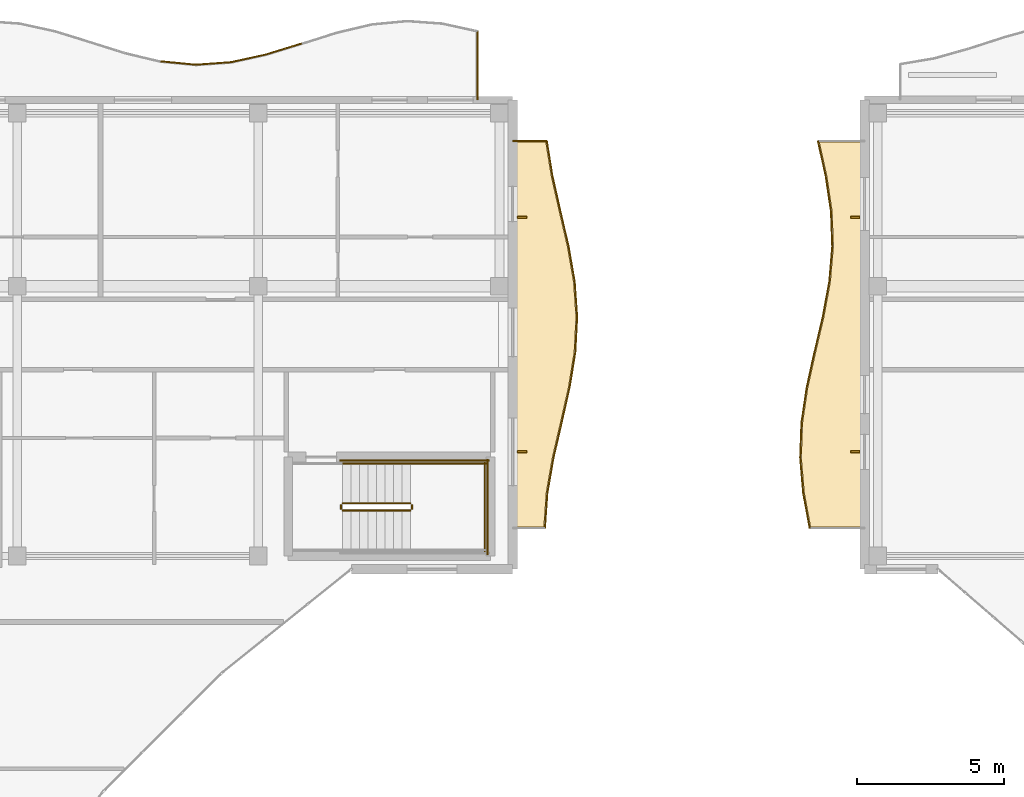
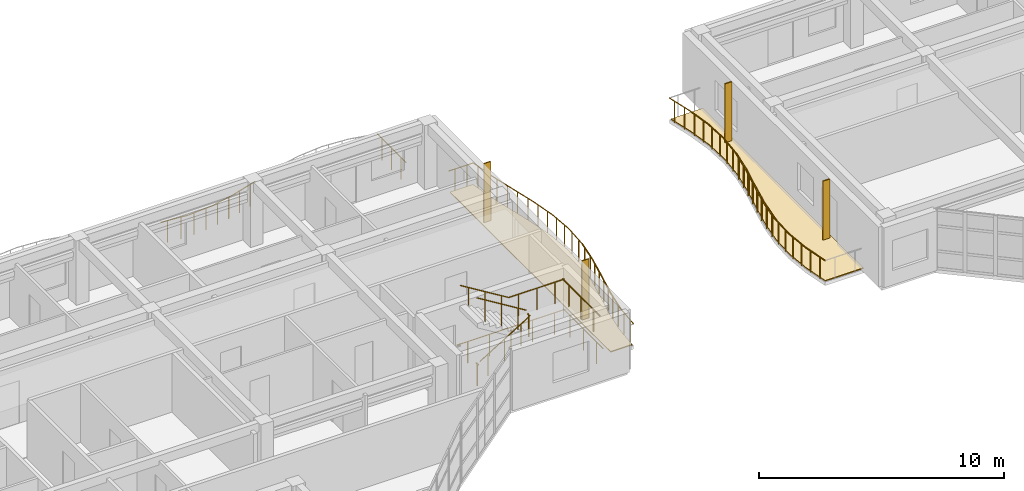
# One storey, part 61 of 71: 37 railings, 4 shading devices, 2 coverings.
"""IFC4 building model written with IfcOpenShell, lengths in metres."""

from ifc_helpers import new_model, si_unit, direction, frame, origin, origin_2d, place, context, subcontext, project, spatial, polyline, rectangle, circle, outline, extrude, material, layer, layer_set, type_object, element, save


model = new_model("IFC4")

# Units and contexts
model_context = context("Model", 3, precision=1e-05, world=origin(), true_north=direction((0.0, 1.0)))
body_context = subcontext(model_context, "Body", "Model", "MODEL_VIEW")
ifc_project = project(units=[si_unit("LENGTHUNIT", "METRE"), si_unit("AREAUNIT", "SQUARE_METRE"), si_unit("VOLUMEUNIT", "CUBIC_METRE"), si_unit("PLANEANGLEUNIT", "RADIAN"), si_unit("MASSUNIT", "GRAM", prefix="KILO")], contexts=[model_context])

# Site, building, storey
site_placement = place(None, origin())
site = spatial("IfcSite", under=ifc_project, at=site_placement, CompositionType="ELEMENT")
building_placement = place(site_placement, origin())
building = spatial("IfcBuilding", under=site, at=building_placement, Name="Keldmere Railside Commons", CompositionType="ELEMENT")
storey_placement = place(building_placement, frame((0.0, 0.0, 20.159912109375)))
storey = spatial("IfcBuildingStorey", under=building, at=storey_placement, Name="L06", CompositionType="ELEMENT", Elevation=20.159912109375)

# Railings
ifc_material_1 = material(Name="Steel F-24 (S235)", Category="steel")
railing_type_1 = type_object("IfcRailingType", Name="Balcony & Terrace Steel Balustrade 1100", PredefinedType="BALUSTRADE", material=ifc_material_1)
railing_1_placement = place(storey_placement, frame((69.5, 117.3154296875, 0.0)))
element("IfcRailing", 1, at=railing_1_placement, inside=storey, type_object=railing_type_1, Name="GR-1 GRD-L06-1460", PredefinedType="BALUSTRADE", context=body_context, shape_type="SweptSolid", body=[
    extrude(circle(Radius=0.02392578125, at=origin_2d()), frame((0.0, 0.0, 1.076171875), z_axis=(0.995458988415, -0.095191398689, 0.0), x_axis=(0.095191398689, 0.995458988415, 0.0)), (0.0, 0.0, 1.0), 1.205322265625),
    extrude(circle(Radius=0.02099609375, at=origin_2d()), frame((0.300048828125, -0.02880859375, 0.0)), (0.0, 0.0, 1.0), 1.048095703125),
    extrude(circle(Radius=0.02099609375, at=origin_2d()), frame((0.89990234375, -0.0859375, 0.0)), (0.0, 0.0, 1.0), 1.048095703125),
])
railing_2_placement = place(storey_placement, frame((70.699951171875, 117.20068359375, 0.0)))
element("IfcRailing", 2, at=railing_2_placement, inside=storey, type_object=railing_type_1, Name="GR-1 GRD-L06-1461", PredefinedType="BALUSTRADE", context=body_context, shape_type="SweptSolid", body=[
    extrude(circle(Radius=0.02392578125, at=origin_2d()), frame((0.0, 0.0, 1.076171875), z_axis=(0.997459729889, 0.071232627709, 0.0), x_axis=(-0.071232627709, 0.997459729889, 0.0)), (0.0, 0.0, 1.0), 1.203125),
    extrude(circle(Radius=0.02099609375, at=origin_2d()), frame((0.300048828125, 0.021484375, 0.0)), (0.0, 0.0, 1.0), 1.048095703125),
    extrude(circle(Radius=0.02099609375, at=origin_2d()), frame((0.89990234375, 0.064208984375, 0.0)), (0.0, 0.0, 1.0), 1.048095703125),
])
railing_3_placement = place(storey_placement, frame((71.89990234375, 117.286376953125, 0.0)))
element("IfcRailing", 3, at=railing_3_placement, inside=storey, type_object=railing_type_1, Name="GR-1 GRD-L06-1462", PredefinedType="BALUSTRADE", context=body_context, shape_type="SweptSolid", body=[
    extrude(circle(Radius=0.02392578125, at=origin_2d()), frame((0.0, 0.0, 1.076171875), z_axis=(0.976707795442, 0.214573722351, 0.0), x_axis=(-0.214573722351, 0.976707795442, 0.0)), (0.0, 0.0, 1.0), 1.228759765625),
    extrude(circle(Radius=0.02099609375, at=origin_2d()), frame((0.300048828125, 0.06591796875, 0.0)), (0.0, 0.0, 1.0), 1.048095703125),
    extrude(circle(Radius=0.02099609375, at=origin_2d()), frame((0.900146484375, 0.19775390625, 0.0)), (0.0, 0.0, 1.0), 1.048095703125),
])
railing_4_placement = place(storey_placement, frame((73.10009765625, 117.550048828125, 0.0)))
element("IfcRailing", 4, at=railing_4_placement, inside=storey, type_object=railing_type_1, Name="GR-1 GRD-L06-1463", PredefinedType="BALUSTRADE", context=body_context, shape_type="SweptSolid", body=[
    extrude(circle(Radius=0.02392578125, at=origin_2d()), frame((0.0, 0.0, 1.076171875), z_axis=(0.955412612016, 0.295274009695, 0.0), x_axis=(-0.295274009695, 0.955412612016, 0.0)), (0.0, 0.0, 1.0), 1.255859375),
    extrude(circle(Radius=0.02099609375, at=origin_2d()), frame((0.300048828125, 0.0927734375, 0.0)), (0.0, 0.0, 1.0), 1.048095703125),
    extrude(circle(Radius=0.02099609375, at=origin_2d()), frame((0.89990234375, 0.278076171875, 0.0)), (0.0, 0.0, 1.0), 1.048095703125),
])
railing_5_placement = place(storey_placement, frame((80.300048828125, 118.349853515625, 0.0)))
element("IfcRailing", 5, at=railing_5_placement, inside=storey, type_object=railing_type_1, Name="GR-1 GRD-L06-1469", PredefinedType="BALUSTRADE", context=body_context, shape_type="SweptSolid", body=[
    extrude(circle(Radius=0.02392578125, at=origin_2d()), frame((0.0, 0.0, 1.076171875), z_axis=(0.0, -1.0, 0.0), x_axis=(1.0, 0.0, 0.0)), (0.0, 0.0, 1.0), 2.349853515625),
    extrude(circle(Radius=0.02099609375, at=origin_2d()), frame((0.0, -0.3916015625, 0.0)), (0.0, 0.0, 1.0), 1.048095703125),
    extrude(circle(Radius=0.02099609375, at=origin_2d()), frame((0.0, -1.1748046875, 0.0)), (0.0, 0.0, 1.0), 1.048095703125),
    extrude(circle(Radius=0.02099609375, at=origin_2d()), frame((0.0, -1.958251953125, 0.0)), (0.0, 0.0, 1.0), 1.048095703125),
])
railing_6_placement = place(storey_placement, frame((82.600341796875, 101.39990234375, 0.0)))
element("IfcRailing", 6, at=railing_6_placement, inside=storey, type_object=railing_type_1, Name="GR-1 GRD-L06-1521", PredefinedType="BALUSTRADE", context=body_context, shape_type="SweptSolid", body=[
    extrude(circle(Radius=0.02392578125, at=origin_2d()), frame((0.0, 0.0, 1.076171875), z_axis=(0.06980489587, 0.997560663074, 0.0), x_axis=(-0.997560663074, 0.06980489587, 0.0)), (0.0, 0.0, 1.0), 1.203125),
    extrude(circle(Radius=0.02099609375, at=origin_2d()), frame((0.02099609375, 0.300048828125, 0.0)), (0.0, 0.0, 1.0), 1.048095703125),
    extrude(circle(Radius=0.02099609375, at=origin_2d()), frame((0.06298828125, 0.900146484375, 0.0)), (0.0, 0.0, 1.0), 1.048095703125),
])
railing_7_placement = place(storey_placement, frame((82.684326171875, 102.60009765625, 0.0)))
element("IfcRailing", 7, at=railing_7_placement, inside=storey, type_object=railing_type_1, Name="GR-1 GRD-L06-1522", PredefinedType="BALUSTRADE", context=body_context, shape_type="SweptSolid", body=[
    extrude(circle(Radius=0.02392578125, at=origin_2d()), frame((0.0, 0.0, 1.076171875), z_axis=(0.171383471067, 0.985204398003, 0.0), x_axis=(-0.985204398003, 0.171383471067, 0.0)), (0.0, 0.0, 1.0), 1.218017578125),
    extrude(circle(Radius=0.02099609375, at=origin_2d()), frame((0.05224609375, 0.300048828125, 0.0)), (0.0, 0.0, 1.0), 1.048095703125),
    extrude(circle(Radius=0.02099609375, at=origin_2d()), frame((0.156494140625, 0.89990234375, 0.0)), (0.0, 0.0, 1.0), 1.048095703125),
])
railing_8_placement = place(storey_placement, frame((82.89306640625, 103.800048828125, 0.0)))
element("IfcRailing", 8, at=railing_8_placement, inside=storey, type_object=railing_type_1, Name="GR-1 GRD-L06-1523", PredefinedType="BALUSTRADE", context=body_context, shape_type="SweptSolid", body=[
    extrude(circle(Radius=0.02392578125, at=origin_2d()), frame((0.0, 0.0, 1.076171875), z_axis=(0.225380647654, 0.974270785594, 0.0), x_axis=(-0.974270785594, 0.225380647654, 0.0)), (0.0, 0.0, 1.0), 1.231689453125),
    extrude(circle(Radius=0.02099609375, at=origin_2d()), frame((0.0693359375, 0.300048828125, 0.0)), (0.0, 0.0, 1.0), 1.048095703125),
    extrude(circle(Radius=0.02099609375, at=origin_2d()), frame((0.208251953125, 0.89990234375, 0.0)), (0.0, 0.0, 1.0), 1.048095703125),
])
railing_9_placement = place(storey_placement, frame((83.170654296875, 105.0, 0.0)))
element("IfcRailing", 9, at=railing_9_placement, inside=storey, type_object=railing_type_1, Name="GR-1 GRD-L06-1524", PredefinedType="BALUSTRADE", context=body_context, shape_type="SweptSolid", body=[
    extrude(circle(Radius=0.02392578125, at=origin_2d()), frame((0.0, 0.0, 1.076171875), z_axis=(0.221046448664, 0.975263281136, 0.0), x_axis=(-0.975263281136, 0.221046448664, 0.0)), (0.0, 0.0, 1.0), 1.23046875),
    extrude(circle(Radius=0.02099609375, at=origin_2d()), frame((0.06787109375, 0.300048828125, 0.0)), (0.0, 0.0, 1.0), 1.048095703125),
    extrude(circle(Radius=0.02099609375, at=origin_2d()), frame((0.2041015625, 0.89990234375, 0.0)), (0.0, 0.0, 1.0), 1.048095703125),
])
railing_10_placement = place(storey_placement, frame((83.442626953125, 106.199951171875, 0.0)))
element("IfcRailing", 10, at=railing_10_placement, inside=storey, type_object=railing_type_1, Name="GR-1 GRD-L06-1525", PredefinedType="BALUSTRADE", context=body_context, shape_type="SweptSolid", body=[
    extrude(circle(Radius=0.02392578125, at=origin_2d()), frame((0.0, 0.0, 1.076171875), z_axis=(0.159282959495, 0.987232970891, 0.0), x_axis=(-0.987232970891, 0.159282959495, 0.0)), (0.0, 0.0, 1.0), 1.215576171875),
    extrude(circle(Radius=0.02099609375, at=origin_2d()), frame((0.04833984375, 0.300048828125, 0.0)), (0.0, 0.0, 1.0), 1.048095703125),
    extrude(circle(Radius=0.02099609375, at=origin_2d()), frame((0.145263671875, 0.89990234375, 0.0)), (0.0, 0.0, 1.0), 1.048095703125),
])
railing_11_placement = place(storey_placement, frame((83.63623046875, 107.39990234375, 0.0)))
element("IfcRailing", 11, at=railing_11_placement, inside=storey, type_object=railing_type_1, Name="GR-1 GRD-L06-1526", PredefinedType="BALUSTRADE", context=body_context, shape_type="SweptSolid", body=[
    extrude(circle(Radius=0.02392578125, at=origin_2d()), frame((0.0, 0.0, 1.076171875), z_axis=(0.052814712281, 0.998604329135, 0.0), x_axis=(-0.998604329135, 0.052814712281, 0.0)), (0.0, 0.0, 1.0), 1.201904296875),
    extrude(circle(Radius=0.02099609375, at=origin_2d()), frame((0.015869140625, 0.300048828125, 0.0)), (0.0, 0.0, 1.0), 1.048095703125),
    extrude(circle(Radius=0.02099609375, at=origin_2d()), frame((0.047607421875, 0.900146484375, 0.0)), (0.0, 0.0, 1.0), 1.048095703125),
])
railing_12_placement = place(storey_placement, frame((83.69970703125, 108.60009765625, 0.0)))
element("IfcRailing", 12, at=railing_12_placement, inside=storey, type_object=railing_type_1, Name="GR-1 GRD-L06-1527", PredefinedType="BALUSTRADE", context=body_context, shape_type="SweptSolid", body=[
    extrude(circle(Radius=0.02392578125, at=origin_2d()), frame((0.0, 0.0, 1.076171875), z_axis=(-0.070020997682, 0.9975455177, 0.0), x_axis=(-0.9975455177, -0.070020997682, 0.0)), (0.0, 0.0, 1.0), 1.202880859375),
    extrude(circle(Radius=0.02099609375, at=origin_2d()), frame((-0.02099609375, 0.300048828125, 0.0)), (0.0, 0.0, 1.0), 1.048095703125),
    extrude(circle(Radius=0.02099609375, at=origin_2d()), frame((-0.063232421875, 0.89990234375, 0.0)), (0.0, 0.0, 1.0), 1.048095703125),
])
railing_13_placement = place(storey_placement, frame((83.615478515625, 109.800048828125, 0.0)))
element("IfcRailing", 13, at=railing_13_placement, inside=storey, type_object=railing_type_1, Name="GR-1 GRD-L06-1528", PredefinedType="BALUSTRADE", context=body_context, shape_type="SweptSolid", body=[
    extrude(circle(Radius=0.02392578125, at=origin_2d()), frame((0.0, 0.0, 1.076171875), z_axis=(-0.171188900173, 0.985238225232, 0.0), x_axis=(-0.985238225232, -0.171188900173, 0.0)), (0.0, 0.0, 1.0), 1.218017578125),
    extrude(circle(Radius=0.02099609375, at=origin_2d()), frame((-0.05224609375, 0.300048828125, 0.0)), (0.0, 0.0, 1.0), 1.048095703125),
    extrude(circle(Radius=0.02099609375, at=origin_2d()), frame((-0.15625, 0.89990234375, 0.0)), (0.0, 0.0, 1.0), 1.048095703125),
])
railing_14_placement = place(storey_placement, frame((83.406982421875, 111.0, 0.0)))
element("IfcRailing", 14, at=railing_14_placement, inside=storey, type_object=railing_type_1, Name="GR-1 GRD-L06-1529", PredefinedType="BALUSTRADE", context=body_context, shape_type="SweptSolid", body=[
    extrude(circle(Radius=0.02392578125, at=origin_2d()), frame((0.0, 0.0, 1.076171875), z_axis=(-0.225380647654, 0.974270785594, 0.0), x_axis=(-0.974270785594, -0.225380647654, 0.0)), (0.0, 0.0, 1.0), 1.231689453125),
    extrude(circle(Radius=0.02099609375, at=origin_2d()), frame((-0.0693359375, 0.300048828125, 0.0)), (0.0, 0.0, 1.0), 1.048095703125),
    extrude(circle(Radius=0.02099609375, at=origin_2d()), frame((-0.208251953125, 0.89990234375, 0.0)), (0.0, 0.0, 1.0), 1.048095703125),
])
railing_15_placement = place(storey_placement, frame((83.12939453125, 112.199951171875, 0.0)))
element("IfcRailing", 15, at=railing_15_placement, inside=storey, type_object=railing_type_1, Name="GR-1 GRD-L06-1530", PredefinedType="BALUSTRADE", context=body_context, shape_type="SweptSolid", body=[
    extrude(circle(Radius=0.02392578125, at=origin_2d()), frame((0.0, 0.0, 1.076171875), z_axis=(-0.221046448664, 0.975263281136, 0.0), x_axis=(-0.975263281136, -0.221046448664, 0.0)), (0.0, 0.0, 1.0), 1.23046875),
    extrude(circle(Radius=0.02099609375, at=origin_2d()), frame((-0.06787109375, 0.300048828125, 0.0)), (0.0, 0.0, 1.0), 1.048095703125),
    extrude(circle(Radius=0.02099609375, at=origin_2d()), frame((-0.2041015625, 0.89990234375, 0.0)), (0.0, 0.0, 1.0), 1.048095703125),
])
railing_16_placement = place(storey_placement, frame((82.857421875, 113.39990234375, 0.0)))
element("IfcRailing", 16, at=railing_16_placement, inside=storey, type_object=railing_type_1, Name="GR-1 GRD-L06-1531", PredefinedType="BALUSTRADE", context=body_context, shape_type="SweptSolid", body=[
    extrude(circle(Radius=0.02392578125, at=origin_2d()), frame((0.0, 0.0, 1.076171875), z_axis=(-0.159251380369, 0.987238065438, 0.0), x_axis=(-0.987238065438, -0.159251380369, 0.0)), (0.0, 0.0, 1.0), 1.2158203125),
    extrude(circle(Radius=0.02099609375, at=origin_2d()), frame((-0.04833984375, 0.300048828125, 0.0)), (0.0, 0.0, 1.0), 1.048095703125),
    extrude(circle(Radius=0.02099609375, at=origin_2d()), frame((-0.145263671875, 0.900146484375, 0.0)), (0.0, 0.0, 1.0), 1.048095703125),
])
railing_17_placement = place(storey_placement, frame((82.663818359375, 114.60009765625, 0.0)))
element("IfcRailing", 17, at=railing_17_placement, inside=storey, type_object=railing_type_1, Name="GR-1 GRD-L06-1532", PredefinedType="BALUSTRADE", context=body_context, shape_type="SweptSolid", body=[
    extrude(circle(Radius=0.02392578125, at=origin_2d()), frame((0.0, 0.0, 1.076171875), z_axis=(-1.0, 0.0, 0.0), x_axis=(0.0, -1.0, 0.0)), (0.0, 0.0, 1.0), 1.163818359375),
    extrude(circle(Radius=0.02099609375, at=origin_2d()), frame((-0.291015625, 0.0, 0.0)), (0.0, 0.0, 1.0), 1.048095703125),
    extrude(circle(Radius=0.02099609375, at=origin_2d()), frame((-0.872802734375, 0.0, 0.0)), (0.0, 0.0, 1.0), 1.048095703125),
])
railing_18_placement = place(storey_placement, frame((91.627197265625, 101.39990234375, 0.0)))
element("IfcRailing", 18, at=railing_18_placement, inside=storey, type_object=railing_type_1, Name="GR-1 GRD-L06-2605", PredefinedType="BALUSTRADE", context=body_context, shape_type="SweptSolid", body=[
    extrude(circle(Radius=0.02392578125, at=origin_2d()), frame((0.0, 0.0, 1.076171875), z_axis=(-0.1814373618, 0.983402503425, 0.0), x_axis=(-0.983402503425, -0.1814373618, 0.0)), (0.0, 0.0, 1.0), 1.220458984375),
    extrude(circle(Radius=0.02099609375, at=origin_2d()), frame((-0.055419921875, 0.300048828125, 0.0)), (0.0, 0.0, 1.0), 1.048095703125),
    extrude(circle(Radius=0.02099609375, at=origin_2d()), frame((-0.166015625, 0.900146484375, 0.0)), (0.0, 0.0, 1.0), 1.048095703125),
])
railing_19_placement = place(storey_placement, frame((91.40576171875, 102.60009765625, 0.0)))
element("IfcRailing", 19, at=railing_19_placement, inside=storey, type_object=railing_type_1, Name="GR-1 GRD-L06-2606", PredefinedType="BALUSTRADE", context=body_context, shape_type="SweptSolid", body=[
    extrude(circle(Radius=0.02392578125, at=origin_2d()), frame((0.0, 0.0, 1.076171875), z_axis=(-0.085343644629, 0.996351575661, 0.0), x_axis=(-0.996351575661, -0.085343644629, 0.0)), (0.0, 0.0, 1.0), 1.204345703125),
    extrude(circle(Radius=0.02099609375, at=origin_2d()), frame((-0.025634765625, 0.300048828125, 0.0)), (0.0, 0.0, 1.0), 1.048095703125),
    extrude(circle(Radius=0.02099609375, at=origin_2d()), frame((-0.0771484375, 0.89990234375, 0.0)), (0.0, 0.0, 1.0), 1.048095703125),
])
railing_20_placement = place(storey_placement, frame((91.302978515625, 103.800048828125, 0.0)))
element("IfcRailing", 20, at=railing_20_placement, inside=storey, type_object=railing_type_1, Name="GR-1 GRD-L06-2607", PredefinedType="BALUSTRADE", context=body_context, shape_type="SweptSolid", body=[
    extrude(circle(Radius=0.02392578125, at=origin_2d()), frame((0.0, 0.0, 1.076171875), z_axis=(0.03680109714, 0.999322610196, 0.0), x_axis=(-0.999322610196, 0.03680109714, 0.0)), (0.0, 0.0, 1.0), 1.20068359375),
    extrude(circle(Radius=0.02099609375, at=origin_2d()), frame((0.010986328125, 0.300048828125, 0.0)), (0.0, 0.0, 1.0), 1.048095703125),
    extrude(circle(Radius=0.02099609375, at=origin_2d()), frame((0.033203125, 0.89990234375, 0.0)), (0.0, 0.0, 1.0), 1.048095703125),
])
railing_21_placement = place(storey_placement, frame((91.34716796875, 105.0, 0.0)))
element("IfcRailing", 21, at=railing_21_placement, inside=storey, type_object=railing_type_1, Name="GR-1 GRD-L06-2608", PredefinedType="BALUSTRADE", context=body_context, shape_type="SweptSolid", body=[
    extrude(circle(Radius=0.02392578125, at=origin_2d()), frame((0.0, 0.0, 1.076171875), z_axis=(0.147307114317, 0.989090801732, 0.0), x_axis=(-0.989090801732, 0.147307114317, 0.0)), (0.0, 0.0, 1.0), 1.213134765625),
    extrude(circle(Radius=0.02099609375, at=origin_2d()), frame((0.044677734375, 0.300048828125, 0.0)), (0.0, 0.0, 1.0), 1.048095703125),
    extrude(circle(Radius=0.02099609375, at=origin_2d()), frame((0.134033203125, 0.89990234375, 0.0)), (0.0, 0.0, 1.0), 1.048095703125),
])
railing_22_placement = place(storey_placement, frame((91.52587890625, 106.199951171875, 0.0)))
element("IfcRailing", 22, at=railing_22_placement, inside=storey, type_object=railing_type_1, Name="GR-1 GRD-L06-2609", PredefinedType="BALUSTRADE", context=body_context, shape_type="SweptSolid", body=[
    extrude(circle(Radius=0.02392578125, at=origin_2d()), frame((0.0, 0.0, 1.076171875), z_axis=(0.216131111315, 0.97636434937, 0.0), x_axis=(-0.97636434937, 0.216131111315, 0.0)), (0.0, 0.0, 1.0), 1.22900390625),
    extrude(circle(Radius=0.02099609375, at=origin_2d()), frame((0.06640625, 0.300048828125, 0.0)), (0.0, 0.0, 1.0), 1.048095703125),
    extrude(circle(Radius=0.02099609375, at=origin_2d()), frame((0.19921875, 0.89990234375, 0.0)), (0.0, 0.0, 1.0), 1.048095703125),
])
railing_23_placement = place(storey_placement, frame((91.79150390625, 107.39990234375, 0.0)))
element("IfcRailing", 23, at=railing_23_placement, inside=storey, type_object=railing_type_1, Name="GR-1 GRD-L06-2610", PredefinedType="BALUSTRADE", context=body_context, shape_type="SweptSolid", body=[
    extrude(circle(Radius=0.02392578125, at=origin_2d()), frame((0.0, 0.0, 1.076171875), z_axis=(0.228156121511, 0.973624560196, 0.0), x_axis=(-0.973624560196, 0.228156121511, 0.0)), (0.0, 0.0, 1.0), 1.232666015625),
    extrude(circle(Radius=0.02099609375, at=origin_2d()), frame((0.0703125, 0.300048828125, 0.0)), (0.0, 0.0, 1.0), 1.048095703125),
    extrude(circle(Radius=0.02099609375, at=origin_2d()), frame((0.2109375, 0.900146484375, 0.0)), (0.0, 0.0, 1.0), 1.048095703125),
])
railing_24_placement = place(storey_placement, frame((92.07275390625, 108.60009765625, 0.0)))
element("IfcRailing", 24, at=railing_24_placement, inside=storey, type_object=railing_type_1, Name="GR-1 GRD-L06-2611", PredefinedType="BALUSTRADE", context=body_context, shape_type="SweptSolid", body=[
    extrude(circle(Radius=0.02392578125, at=origin_2d()), frame((0.0, 0.0, 1.076171875), z_axis=(0.181473061244, 0.983395916222, 0.0), x_axis=(-0.983395916222, 0.181473061244, 0.0)), (0.0, 0.0, 1.0), 1.22021484375),
    extrude(circle(Radius=0.02099609375, at=origin_2d()), frame((0.055419921875, 0.300048828125, 0.0)), (0.0, 0.0, 1.0), 1.048095703125),
    extrude(circle(Radius=0.02099609375, at=origin_2d()), frame((0.166015625, 0.89990234375, 0.0)), (0.0, 0.0, 1.0), 1.048095703125),
])
railing_25_placement = place(storey_placement, frame((92.294189453125, 109.800048828125, 0.0)))
element("IfcRailing", 25, at=railing_25_placement, inside=storey, type_object=railing_type_1, Name="GR-1 GRD-L06-2612", PredefinedType="BALUSTRADE", context=body_context, shape_type="SweptSolid", body=[
    extrude(circle(Radius=0.02392578125, at=origin_2d()), frame((0.0, 0.0, 1.076171875), z_axis=(0.085343644629, 0.996351575661, 0.0), x_axis=(-0.996351575661, 0.085343644629, 0.0)), (0.0, 0.0, 1.0), 1.204345703125),
    extrude(circle(Radius=0.02099609375, at=origin_2d()), frame((0.025634765625, 0.300048828125, 0.0)), (0.0, 0.0, 1.0), 1.048095703125),
    extrude(circle(Radius=0.02099609375, at=origin_2d()), frame((0.0771484375, 0.89990234375, 0.0)), (0.0, 0.0, 1.0), 1.048095703125),
])
railing_26_placement = place(storey_placement, frame((92.39697265625, 111.0, 0.0)))
element("IfcRailing", 26, at=railing_26_placement, inside=storey, type_object=railing_type_1, Name="GR-1 GRD-L06-2613", PredefinedType="BALUSTRADE", context=body_context, shape_type="SweptSolid", body=[
    extrude(circle(Radius=0.02392578125, at=origin_2d()), frame((0.0, 0.0, 1.076171875), z_axis=(-0.03680109714, 0.999322610196, 0.0), x_axis=(-0.999322610196, -0.03680109714, 0.0)), (0.0, 0.0, 1.0), 1.20068359375),
    extrude(circle(Radius=0.02099609375, at=origin_2d()), frame((-0.010986328125, 0.300048828125, 0.0)), (0.0, 0.0, 1.0), 1.048095703125),
    extrude(circle(Radius=0.02099609375, at=origin_2d()), frame((-0.033203125, 0.89990234375, 0.0)), (0.0, 0.0, 1.0), 1.048095703125),
])
railing_27_placement = place(storey_placement, frame((92.352783203125, 112.199951171875, 0.0)))
element("IfcRailing", 27, at=railing_27_placement, inside=storey, type_object=railing_type_1, Name="GR-1 GRD-L06-2614", PredefinedType="BALUSTRADE", context=body_context, shape_type="SweptSolid", body=[
    extrude(circle(Radius=0.02392578125, at=origin_2d()), frame((0.0, 0.0, 1.076171875), z_axis=(-0.147110233107, 0.989120103585, 0.0), x_axis=(-0.989120103585, -0.147110233107, 0.0)), (0.0, 0.0, 1.0), 1.213134765625),
    extrude(circle(Radius=0.02099609375, at=origin_2d()), frame((-0.044677734375, 0.300048828125, 0.0)), (0.0, 0.0, 1.0), 1.048095703125),
    extrude(circle(Radius=0.02099609375, at=origin_2d()), frame((-0.1337890625, 0.89990234375, 0.0)), (0.0, 0.0, 1.0), 1.048095703125),
])
railing_28_placement = place(storey_placement, frame((92.17431640625, 113.39990234375, 0.0)))
element("IfcRailing", 28, at=railing_28_placement, inside=storey, type_object=railing_type_1, Name="GR-1 GRD-L06-2615", PredefinedType="BALUSTRADE", context=body_context, shape_type="SweptSolid", body=[
    extrude(circle(Radius=0.02392578125, at=origin_2d()), frame((0.0, 0.0, 1.076171875), z_axis=(-0.216089199601, 0.976373626137, 0.0), x_axis=(-0.976373626137, -0.216089199601, 0.0)), (0.0, 0.0, 1.0), 1.229248046875),
    extrude(circle(Radius=0.02099609375, at=origin_2d()), frame((-0.06640625, 0.300048828125, 0.0)), (0.0, 0.0, 1.0), 1.048095703125),
    extrude(circle(Radius=0.02099609375, at=origin_2d()), frame((-0.19921875, 0.900146484375, 0.0)), (0.0, 0.0, 1.0), 1.048095703125),
])

# Shading devices
ifc_layer_1 = layer(ifc_material_1, 0.06005859375, Name="East-West Vertical Brise-Soleil Fin 320x60")
ifc_layer_set_1 = layer_set([ifc_layer_1], Name="Steel F-24 (S235)")
shading_device_type = type_object("IfcShadingDeviceType", Name="East-West Vertical Brise-Soleil Fin 320x60", PredefinedType="USERDEFINED", material=ifc_layer_set_1)
for number, where, z_axis, x_axis, name in (
    (29, (81.818115234375, 112.0, 0.0), (0.0, 0.0, 1.0), (1.0, 0.0, 0.0), "FIN-1 Solar Fin 015"),
    (30, (81.818115234375, 104.0, 0.0), (0.0, 0.0, 1.0), (1.0, 0.0, 0.0), "FIN-1 Solar Fin 016"),
    (31, (93.181884765625, 104.0, 0.0), (0.0, 0.0, 1.0), (1.0, 0.0, 0.0), "FIN-1 Solar Fin 029"),
    (32, (93.181884765625, 112.0, 0.0), (0.0, 0.0, 1.0), (1.0, 0.0, 0.0), "FIN-1 Solar Fin 030"),
):
    element("IfcShadingDevice", number, at=place(storey_placement, frame(where, z_axis=z_axis, x_axis=x_axis)), inside=storey, type_object=shading_device_type, Name=name, ObjectType="FIN", PredefinedType="USERDEFINED", context=body_context, shape_type="SweptSolid", body=[
        extrude(rectangle(XDim=0.320068359375, YDim=0.06005859375, at=origin_2d()), origin(), (0.0, 0.0, 1.0), 2.97998046875),
    ])

# Railings
railing_type_2 = type_object("IfcRailingType", Name="Stair Well Steel Guardrail 1100", PredefinedType="BALUSTRADE", material=ifc_material_1)
railing_29_placement = place(storey_placement, frame((75.699951171875, 102.0, 0.177978515625)))
element("IfcRailing", 33, at=railing_29_placement, inside=storey, type_object=railing_type_2, Name="L06 ST-C2 stair guard 1", PredefinedType="BALUSTRADE", context=body_context, shape_type="SweptSolid", body=[
    extrude(circle(Radius=0.02392578125, at=origin_2d()), frame((0.0, 0.0, 1.076171875), z_axis=(0.852578041948, 0.0, 0.522599925744), x_axis=(0.0, 1.0, 0.0)), (0.0, 0.0, 1.0), 2.72119140625),
    extrude(circle(Radius=0.02099609375, at=origin_2d()), frame((0.38671875, 0.0, 0.237060546875)), (0.0, 0.0, 1.0), 1.048095703125),
    extrude(circle(Radius=0.02099609375, at=origin_2d()), frame((1.16015625, 0.0, 0.7109375)), (0.0, 0.0, 1.0), 1.048095703125),
    extrude(circle(Radius=0.02099609375, at=origin_2d()), frame((1.933349609375, 0.0, 1.18505859375)), (0.0, 0.0, 1.0), 1.048095703125),
])
railing_30_placement = place(storey_placement, frame((78.070068359375, 102.050048828125, 1.60009765625)))
element("IfcRailing", 34, at=railing_30_placement, inside=storey, type_object=railing_type_2, Name="L06 ST-C2 stair guard 2", PredefinedType="BALUSTRADE", context=body_context, shape_type="SweptSolid", body=[
    extrude(circle(Radius=0.02392578125, at=origin_2d()), frame((0.0, 0.0, 1.076171875), z_axis=(0.0, 1.0, 0.0), x_axis=(-1.0, 0.0, 0.0)), (0.0, 0.0, 1.0), 0.14990234375),
    extrude(circle(Radius=0.02099609375, at=origin_2d()), frame((0.0, 0.074951171875, 0.0)), (0.0, 0.0, 1.0), 1.048095703125),
])
railing_31_placement = place(storey_placement, frame((78.02001953125, 103.60009765625, 1.60009765625)))
element("IfcRailing", 35, at=railing_31_placement, inside=storey, type_object=railing_type_2, Name="L06 ST-C2 stair guard 4", PredefinedType="BALUSTRADE", context=body_context, shape_type="SweptSolid", body=[
    extrude(circle(Radius=0.02392578125, at=origin_2d()), frame((0.0, 0.0, 1.076171875), z_axis=(1.0, 0.0, 0.0), x_axis=(0.0, 1.0, 0.0)), (0.0, 0.0, 1.0), 2.580078125),
    extrude(circle(Radius=0.02099609375, at=origin_2d()), frame((0.429931640625, 0.0, 0.0)), (0.0, 0.0, 1.0), 1.048095703125),
    extrude(circle(Radius=0.02099609375, at=origin_2d()), frame((1.2900390625, 0.0, 0.0)), (0.0, 0.0, 1.0), 1.048095703125),
    extrude(circle(Radius=0.02099609375, at=origin_2d()), frame((2.150146484375, 0.0, 0.0)), (0.0, 0.0, 1.0), 1.048095703125),
])
railing_32_placement = place(storey_placement, frame((80.550048828125, 100.60009765625, 1.60009765625)))
element("IfcRailing", 36, at=railing_32_placement, inside=storey, type_object=railing_type_2, Name="L06 ST-C2 stair guard 5", PredefinedType="BALUSTRADE", context=body_context, shape_type="SweptSolid", body=[
    extrude(circle(Radius=0.02392578125, at=origin_2d()), frame((0.0, 0.0, 1.076171875), z_axis=(0.0, 1.0, 0.0), x_axis=(-1.0, 0.0, 0.0)), (0.0, 0.0, 1.0), 3.0498046875),
    extrude(circle(Radius=0.02099609375, at=origin_2d()), frame((0.0, 0.50830078125, 0.0)), (0.0, 0.0, 1.0), 1.048095703125),
    extrude(circle(Radius=0.02099609375, at=origin_2d()), frame((0.0, 1.52490234375, 0.0)), (0.0, 0.0, 1.0), 1.048095703125),
    extrude(circle(Radius=0.02099609375, at=origin_2d()), frame((0.0, 2.54150390625, 0.0)), (0.0, 0.0, 1.0), 1.048095703125),
])
railing_33_placement = place(storey_placement, frame((78.02001953125, 102.25, 1.77783203125)))
element("IfcRailing", 37, at=railing_33_placement, inside=storey, type_object=railing_type_2, Name="L06 ST-C2 stair guard 6", PredefinedType="BALUSTRADE", context=body_context, shape_type="SweptSolid", body=[
    extrude(circle(Radius=0.02392578125, at=origin_2d()), frame((0.0, 0.0, 1.076171875), z_axis=(-0.852538067394, 0.0, 0.522665135287), x_axis=(0.0, -1.0, 0.0)), (0.0, 0.0, 1.0), 2.721435546875),
    extrude(circle(Radius=0.02099609375, at=origin_2d()), frame((-0.38671875, 0.0, 0.237060546875)), (0.0, 0.0, 1.0), 1.048095703125),
    extrude(circle(Radius=0.02099609375, at=origin_2d()), frame((-1.16015625, 0.0, 0.711181640625)), (0.0, 0.0, 1.0), 1.048095703125),
    extrude(circle(Radius=0.02099609375, at=origin_2d()), frame((-1.933349609375, 0.0, 1.185302734375)), (0.0, 0.0, 1.0), 1.048095703125),
])
railing_34_placement = place(storey_placement, frame((75.64990234375, 102.050048828125, 0.0)))
element("IfcRailing", 38, at=railing_34_placement, inside=storey, type_object=railing_type_2, Name="L06 ST-C2 stair guard 7", PredefinedType="BALUSTRADE", context=body_context, shape_type="SweptSolid", body=[
    extrude(circle(Radius=0.02392578125, at=origin_2d()), frame((0.0, 0.0, 1.076171875), z_axis=(0.0, 1.0, 0.0), x_axis=(-1.0, 0.0, 0.0)), (0.0, 0.0, 1.0), 0.14990234375),
    extrude(circle(Radius=0.02099609375, at=origin_2d()), frame((0.0, 0.074951171875, 0.0)), (0.0, 0.0, 1.0), 1.048095703125),
])
railing_35_placement = place(storey_placement, frame((75.60009765625, 103.699951171875, 0.0)))
element("IfcRailing", 39, at=railing_35_placement, inside=storey, type_object=railing_type_2, Name="L06 ST-C2 stair guard 11", PredefinedType="BALUSTRADE", context=body_context, shape_type="SweptSolid", body=[
    extrude(circle(Radius=0.02392578125, at=origin_2d()), frame((0.0, 0.0, 1.076171875), z_axis=(1.0, 0.0, 0.0), x_axis=(0.0, 1.0, 0.0)), (0.0, 0.0, 1.0), 5.099853515625),
    extrude(circle(Radius=0.02099609375, at=origin_2d()), frame((0.510009765625, 0.0, 0.0)), (0.0, 0.0, 1.0), 1.048095703125),
    extrude(circle(Radius=0.02099609375, at=origin_2d()), frame((1.530029296875, 0.0, 0.0)), (0.0, 0.0, 1.0), 1.048095703125),
    extrude(circle(Radius=0.02099609375, at=origin_2d()), frame((2.5498046875, 0.0, 0.0)), (0.0, 0.0, 1.0), 1.048095703125),
    extrude(circle(Radius=0.02099609375, at=origin_2d()), frame((3.56982421875, 0.0, 0.0)), (0.0, 0.0, 1.0), 1.048095703125),
    extrude(circle(Radius=0.02099609375, at=origin_2d()), frame((4.58984375, 0.0, 0.0)), (0.0, 0.0, 1.0), 1.048095703125),
])
railing_36_placement = place(storey_placement, frame((80.64990234375, 100.5, 0.0)))
element("IfcRailing", 40, at=railing_36_placement, inside=storey, type_object=railing_type_2, Name="L06 ST-C2 stair guard 12", PredefinedType="BALUSTRADE", context=body_context, shape_type="SweptSolid", body=[
    extrude(circle(Radius=0.02392578125, at=origin_2d()), frame((0.0, 0.0, 1.076171875), z_axis=(0.0, 1.0, 0.0), x_axis=(-1.0, 0.0, 0.0)), (0.0, 0.0, 1.0), 3.25),
    extrude(circle(Radius=0.02099609375, at=origin_2d()), frame((0.0, 0.541748046875, 0.0)), (0.0, 0.0, 1.0), 1.048095703125),
    extrude(circle(Radius=0.02099609375, at=origin_2d()), frame((0.0, 1.625, 0.0)), (0.0, 0.0, 1.0), 1.048095703125),
    extrude(circle(Radius=0.02099609375, at=origin_2d()), frame((0.0, 2.708251953125, 0.0)), (0.0, 0.0, 1.0), 1.048095703125),
])
railing_type_3 = type_object("IfcRailingType", Name="Wall-Mounted Tubular Steel Handrail 900", PredefinedType="HANDRAIL", material=ifc_material_1)
railing_37_placement = place(storey_placement, frame((78.02001953125, 103.60009765625, 1.77783203125)))
element("IfcRailing", 41, at=railing_37_placement, inside=storey, type_object=railing_type_3, Name="L06 ST-C2 stair handrail 2", PredefinedType="HANDRAIL", context=body_context, shape_type="SweptSolid", body=[
    extrude(circle(Radius=0.02392578125, at=origin_2d()), frame((0.0, 0.0, 0.8759765625), z_axis=(-0.852538067394, 0.0, 0.522665135287), x_axis=(0.0, -1.0, 0.0)), (0.0, 0.0, 1.0), 2.721435546875),
    extrude(circle(Radius=0.02099609375, at=origin_2d()), frame((-0.38671875, 0.0, 0.237060546875)), (0.0, 0.0, 1.0), 0.847900390625),
    extrude(circle(Radius=0.02099609375, at=origin_2d()), frame((-1.16015625, 0.0, 0.711181640625)), (0.0, 0.0, 1.0), 0.847900390625),
    extrude(circle(Radius=0.02099609375, at=origin_2d()), frame((-1.933349609375, 0.0, 1.185302734375)), (0.0, 0.0, 1.0), 0.847900390625),
])

# Coverings
ifc_material_2 = material(Name="White Precast Concrete C35/45", Category="concrete")
ifc_layer_2 = layer(ifc_material_2, 0.044921875, Name="White Architectural Balcony Ribbon Cladding 45")
ifc_layer_set_2 = layer_set([ifc_layer_2], Name="White Precast Concrete C35/45")
covering_type = type_object("IfcCoveringType", Name="White Architectural Balcony Ribbon Cladding 45", PredefinedType="FLOORING", material=ifc_layer_set_2)
covering_1_placement = place(storey_placement, origin())
element("IfcCovering", 42, at=covering_1_placement, inside=storey, type_object=covering_type, Name="CLG-WB C L06 WE White Balcony Ribbon", PredefinedType="FLOORING", context=body_context, shape_type="SweptSolid", body=[
    extrude(outline(polyline([(82.64453125, 102.602783203125), (82.64501953125, 102.60693359375), (82.853759765625, 103.806884765625), (82.85400390625, 103.80908203125), (83.131591796875, 105.0087890625), (83.4033203125, 106.20751953125), (83.596435546875, 107.404296875), (83.659423828125, 108.599609375), (83.57568359375, 109.795166015625), (83.36767578125, 110.9921875), (83.09033203125, 112.19091796875), (83.09033203125, 112.191162109375), (82.818359375, 113.39111328125), (82.81787109375, 113.3935546875), (82.629638671875, 114.56005859375), (81.5400390625, 114.56005859375), (81.5400390625, 101.43994140625), (82.56298828125, 101.43994140625), (82.64453125, 102.602783203125)])), origin(), (0.0, 0.0, 1.0), 0.045166015625),
])
covering_2_placement = place(storey_placement, origin())
element("IfcCovering", 43, at=covering_2_placement, inside=storey, type_object=covering_type, Name="CLG-WB B L06 WW White Balcony Ribbon", PredefinedType="FLOORING", context=body_context, shape_type="SweptSolid", body=[
    extrude(outline(polyline([(93.4599609375, 114.56005859375), (91.95849609375, 114.56005859375), (92.21337890625, 113.40869140625), (92.2138671875, 113.406005859375), (92.392578125, 112.205810546875), (92.392822265625, 112.201416015625), (92.43701171875, 111.00146484375), (92.436767578125, 110.99658203125), (92.334228515625, 109.796630859375), (92.33349609375, 109.792724609375), (92.112060546875, 108.5927734375), (92.111572265625, 108.5908203125), (91.830322265625, 107.39111328125), (91.565185546875, 106.192626953125), (91.386962890625, 104.996337890625), (91.34326171875, 103.801025390625), (91.4453125, 102.605224609375), (91.66064453125, 101.43994140625), (93.4599609375, 101.43994140625), (93.4599609375, 114.56005859375)])), origin(), (0.0, 0.0, 1.0), 0.045166015625),
])

save(model, "model.ifc")
